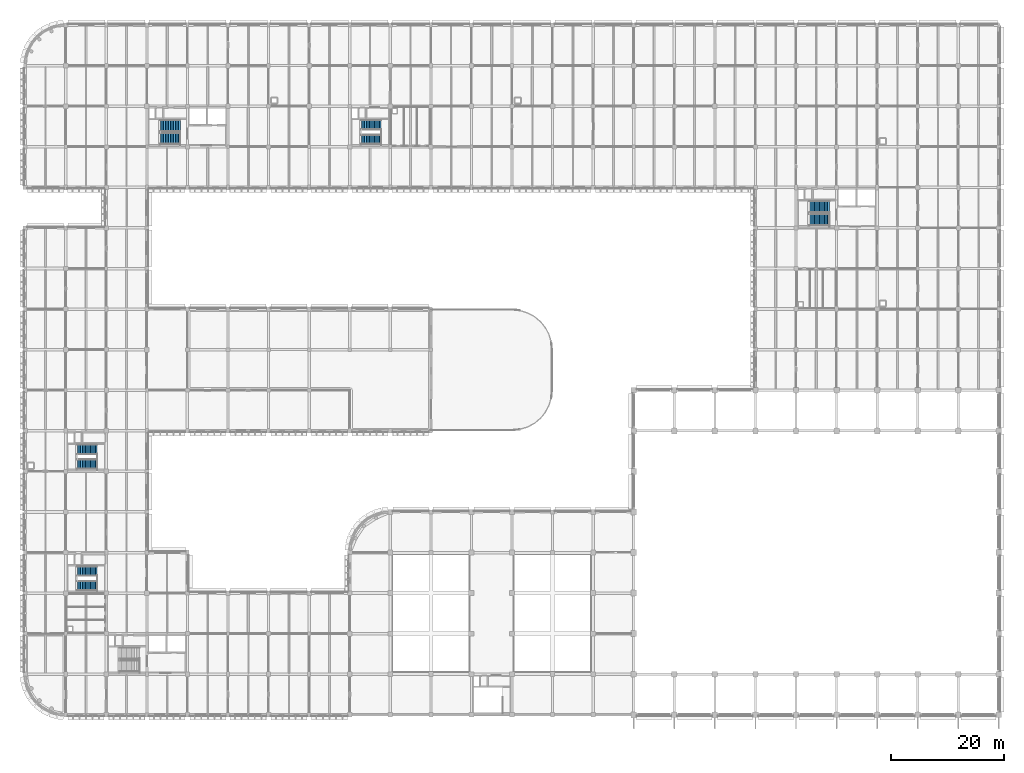
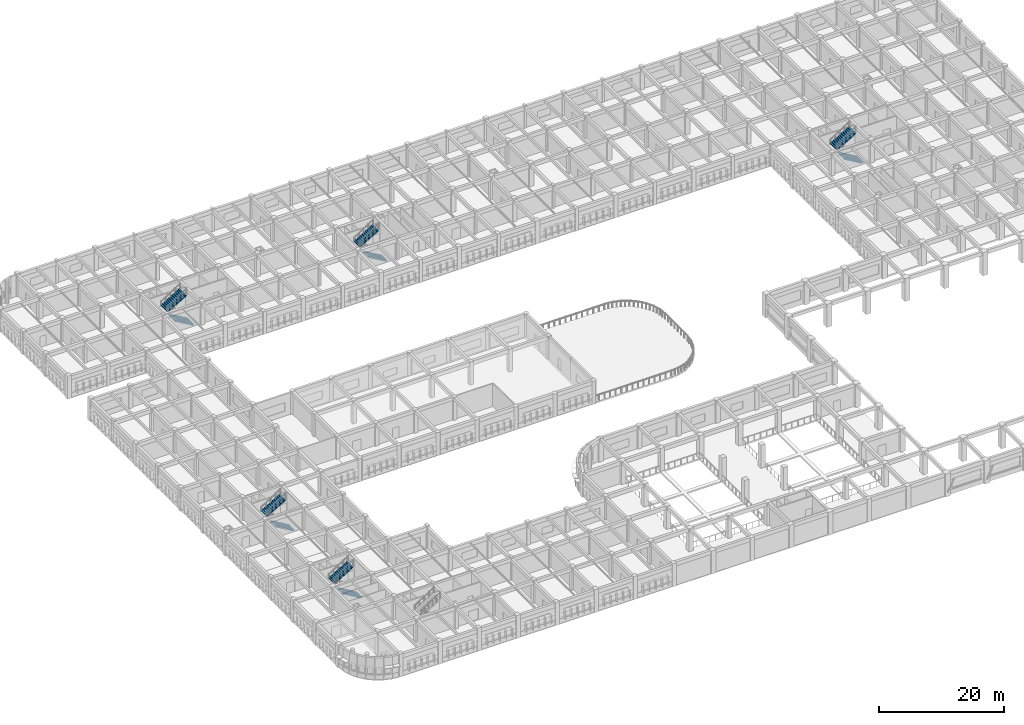
# One storey, part 54 of 61: 10 stair flights, 5 elements without a shape of their own.
"""IFC4 building model written with IfcOpenShell, lengths in metres."""

import ifcopenshell
import ifcopenshell.guid

model = None  # the IFC model being written
_history = None  # IfcOwnerHistory: only IFC2X3 demands one
_inside = {}  # id of a spatial element -> (the spatial element, [elements in it])
_under = {}  # id of a project, library or spatial element -> (it, [spatial elements below it])
_declared = {}  # id of a project -> (the project, [libraries it declares])
_typed = {}  # id of a type object -> (the type object, [elements of that type])
_made_of = {}  # id of a material, layer set ... -> (it, [elements and type objects made of it])


def new_model(schema):
    """Start an empty IFC model of exactly this schema.

    Asked for "IFC4X3", IfcOpenShell would pick the latest addendum, in which some entities
    have other attributes; the version numbers below select the first issue.
    IFC2X3 requires an IfcOwnerHistory on every rooted entity: one is made here for all.
    """
    global model, _history
    if schema == "IFC4X3":
        model = ifcopenshell.file(schema_version=(4, 3, 0, 0))
    else:
        model = ifcopenshell.file(schema=schema)
    _inside.clear()
    _under.clear()
    _declared.clear()
    _typed.clear()
    _made_of.clear()
    _history = None
    if model.schema == "IFC2X3":
        org = make("IfcOrganization", Name="unknown")
        user = make(
            "IfcPersonAndOrganization",
            ThePerson=make("IfcPerson", FamilyName="unknown"),
            TheOrganization=org,
        )
        app = make(
            "IfcApplication",
            ApplicationDeveloper=org,
            Version="unknown",
            ApplicationFullName="unknown",
            ApplicationIdentifier="unknown",
        )
        _history = make(
            "IfcOwnerHistory",
            OwningUser=user,
            OwningApplication=app,
            ChangeAction="ADDED",
            CreationDate=0,
        )
    return model


def make(cls, **values):
    """One entity of the class cls with the attributes given. An attribute that is None is left unset."""
    return model.create_entity(
        cls, **{name: value for name, value in values.items() if value is not None}
    )


def rooted(cls, **values):
    """An entity with a GlobalId (a new one), such as an element, a storey or a relation."""
    return make(cls, GlobalId=ifcopenshell.guid.new(), OwnerHistory=_history, **values)


def si_unit(unit_type, name, prefix=None):
    """IfcSIUnit, for example si_unit("LENGTHUNIT", "METRE", prefix="MILLI")."""
    return make("IfcSIUnit", UnitType=unit_type, Prefix=prefix, Name=name)


def assignment(units):
    """IfcUnitAssignment: the units of a project."""
    return None if units is None else make("IfcUnitAssignment", Units=units)


def point(xyz):
    """IfcCartesianPoint."""
    return None if xyz is None else make("IfcCartesianPoint", Coordinates=xyz)


def direction(xyz):
    """IfcDirection."""
    return None if xyz is None else make("IfcDirection", DirectionRatios=xyz)


def frame(location, z_axis=None, x_axis=None):
    """IfcAxis2Placement3D, a coordinate frame: its origin and axes. An axis left out is left unset."""
    return make(
        "IfcAxis2Placement3D",
        Location=point(location),
        Axis=direction(z_axis),
        RefDirection=direction(x_axis),
    )


def origin():
    """The frame at (0, 0, 0) with its axes left unset."""
    return frame((0.0, 0.0, 0.0))


def place(relative_to, where):
    """IfcLocalPlacement: puts the frame where relative to a parent placement (None: the world)."""
    return make(
        "IfcLocalPlacement", PlacementRelTo=relative_to, RelativePlacement=where
    )


def context(
    kind, dimensions, precision=None, world=None, true_north=None, identifier=None
):
    """IfcGeometricRepresentationContext, for example the 3D "Model" context."""
    return make(
        "IfcGeometricRepresentationContext",
        ContextIdentifier=identifier,
        ContextType=kind,
        CoordinateSpaceDimension=dimensions,
        Precision=precision,
        WorldCoordinateSystem=world,
        TrueNorth=true_north,
    )


def subcontext(parent, identifier, kind, view, scale=None):
    """IfcGeometricRepresentationSubContext, for example "Body" below "Model"."""
    return make(
        "IfcGeometricRepresentationSubContext",
        ContextIdentifier=identifier,
        ContextType=kind,
        ParentContext=parent,
        TargetScale=scale,
        TargetView=view,
    )


def project(units=None, contexts=None):
    """IfcProject with its units and contexts."""
    return rooted(
        "IfcProject",
        Name="project",
        RepresentationContexts=contexts,
        UnitsInContext=assignment(units),
    )


def spatial(cls, under=None, at=None, **own):
    """A site, building, storey or space (cls), placed at a placement, below another one or the project."""
    s = rooted(cls, ObjectPlacement=at, **own)
    if under is not None:
        _under.setdefault(under.id(), (under, []))[1].append(s)
    return s


def polyline(points):
    """IfcPolyline through the points."""
    return make("IfcPolyline", Points=[point(p) for p in points])


def outline(outer, holes=None, kind="AREA"):
    """IfcArbitraryClosedProfileDef: a profile drawn as a closed curve; with holes, ...WithVoids."""
    if holes is None:
        return make("IfcArbitraryClosedProfileDef", ProfileType=kind, OuterCurve=outer)
    return make(
        "IfcArbitraryProfileDefWithVoids",
        ProfileType=kind,
        OuterCurve=outer,
        InnerCurves=holes,
    )


def extrude(swept, where, along, depth):
    """IfcExtrudedAreaSolid: the profile swept, set in the frame where, extruded along a direction by depth."""
    return make(
        "IfcExtrudedAreaSolid",
        SweptArea=swept,
        Position=where,
        ExtrudedDirection=direction(along),
        Depth=depth,
    )


def shape(context_of_items, identifier, shape_type, items):
    """IfcShapeRepresentation: the items that make up one representation, for example the "Body"."""
    return make(
        "IfcShapeRepresentation",
        ContextOfItems=context_of_items,
        RepresentationIdentifier=identifier,
        RepresentationType=shape_type,
        Items=items,
    )


def material(Name=None, Category=None):
    """IfcMaterial."""
    return make("IfcMaterial", Name=Name, Category=Category)


def made_of(thing, what):
    """Note that an element or type object is made of a material, layer set ...; save() writes the relation."""
    if what is not None:
        _made_of.setdefault(what.id(), (what, []))[1].append(thing)
    return thing


def type_object(cls, material=None, **own):
    """A type object (cls), such as IfcWallType, which elements share."""
    return made_of(rooted(cls, **own), material)


def element(
    cls,
    number,
    at=None,
    inside=None,
    cuts=None,
    type_object=None,
    material=None,
    context=None,
    identifier="Body",
    shape_type=None,
    held_by="IfcProductDefinitionShape",
    body=None,
    shapes=None,
    **own,
):
    """One element of the class cls, such as IfcWall. Its Tag is "e" and its number.

    at: its placement. inside: the storey or other place that contains it. cuts: it is an
    opening in that element (IfcRelVoidsElement). A single representation is given by context,
    identifier, shape_type and body (its items); several are given by shapes. held_by: the class
    of the entity that holds the representations. save() writes the other relations.
    """
    e = rooted(cls, Tag="e%d" % number, ObjectPlacement=at, **own)
    if body is not None:
        shapes = [shape(context, identifier, shape_type, body)]
    if shapes is not None:
        e.Representation = make(held_by, Representations=shapes)
    if inside is not None:
        _inside.setdefault(inside.id(), (inside, []))[1].append(e)
    if cuts is not None:
        rooted(
            "IfcRelVoidsElement", RelatingBuildingElement=cuts, RelatedOpeningElement=e
        )
    if type_object is not None:
        _typed.setdefault(type_object.id(), (type_object, []))[1].append(e)
    return made_of(e, material)


def aggregate(whole, parts):
    """IfcRelAggregates: a whole, such as a stair, and the parts it consists of."""
    return rooted("IfcRelAggregates", RelatingObject=whole, RelatedObjects=parts)


def save(model, path):
    """Write the relations noted so far, then the file.

    IfcRelAggregates (storeys below a building ...), IfcRelContainedInSpatialStructure (elements
    in a storey), IfcRelDefinesByType, IfcRelAssociatesMaterial and IfcRelDeclares: one each for
    every whole, place, type object, material and project.
    """
    for whole, parts in _under.values():
        aggregate(whole, parts)
    for where, things in _inside.values():
        rooted(
            "IfcRelContainedInSpatialStructure",
            RelatedElements=things,
            RelatingStructure=where,
        )
    for kind, things in _typed.values():
        rooted("IfcRelDefinesByType", RelatedObjects=things, RelatingType=kind)
    for what, things in _made_of.values():
        rooted("IfcRelAssociatesMaterial", RelatedObjects=things, RelatingMaterial=what)
    for by, libraries in _declared.values():
        rooted("IfcRelDeclares", RelatingContext=by, RelatedDefinitions=libraries)
    model.write(path)


model = new_model("IFC4")

# Units and contexts
model_context = context("Model", 3, precision=1e-05, world=origin(), true_north=direction((0.0, 1.0)))
body_context = subcontext(model_context, "Body", "Model", "MODEL_VIEW")
ifc_project = project(units=[si_unit("LENGTHUNIT", "METRE"), si_unit("AREAUNIT", "SQUARE_METRE"), si_unit("VOLUMEUNIT", "CUBIC_METRE"), si_unit("PLANEANGLEUNIT", "RADIAN"), si_unit("MASSUNIT", "GRAM", prefix="KILO")], contexts=[model_context])

# Site, building, storey
site_placement = place(None, origin())
site = spatial("IfcSite", under=ifc_project, at=site_placement, CompositionType="ELEMENT")
building_placement = place(site_placement, origin())
building = spatial("IfcBuilding", under=site, at=building_placement, Name="Thalmaran Polytechnic", CompositionType="ELEMENT")
storey_placement = place(building_placement, frame((0.0, 0.0, 9.89990234375)))
storey = spatial("IfcBuildingStorey", under=building, at=storey_placement, Name="L02", CompositionType="ELEMENT", Elevation=9.89990234375)

# Stair, stair flights
ifc_material = material(Name="Concrete C40/50", Category="concrete")
stair_type = type_object("IfcStairType", Name="ST-HT45", PredefinedType="HALF_TURN_STAIR", material=ifc_material)
stair_1_placement = place(storey_placement, origin())
stair_1 = element("IfcStair", 1, at=stair_1_placement, inside=storey, type_object=stair_type, Name="Exit Stair ST2 L02", PredefinedType="HALF_TURN_STAIR")
stair_flight_type = type_object("IfcStairFlightType", Name="SF-FL14", PredefinedType="STRAIGHT", material=ifc_material)
stair_flight_1_placement = place(storey_placement, frame((27.52001953125, 102.159912109375, 0.0), z_axis=(0.0, 0.0, 1.0), x_axis=(-1.0, 0.0, 0.0)))
stair_flight_1 = element("IfcStairFlight", 2, at=stair_flight_1_placement, type_object=stair_flight_type, Name="Stair Flight ST2 L02 Lower", NumberOfRisers=13, NumberOfTreads=12, PredefinedType="STRAIGHT", RiserHeight=0.173077, TreadLength=0.293333, context=body_context, shape_type="SweptSolid", body=[
    extrude(outline(polyline([(0.0, 0.0), (0.0, 0.173095703125), (0.293212890625, 0.173095703125), (0.293212890625, 0.34619140625), (0.586669921875, 0.34619140625), (0.586669921875, 0.519287109375), (0.8798828125, 0.519287109375), (0.8798828125, 0.6923828125), (1.17333984375, 0.6923828125), (1.17333984375, 0.865478515625), (1.466552734375, 0.865478515625), (1.466552734375, 1.03857421875), (1.760009765625, 1.03857421875), (1.760009765625, 1.21142578125), (2.05322265625, 1.21142578125), (2.05322265625, 1.384521484375), (2.3466796875, 1.384521484375), (2.3466796875, 1.5576171875), (2.639892578125, 1.5576171875), (2.639892578125, 1.730712890625), (2.933349609375, 1.730712890625), (2.933349609375, 1.90380859375), (3.2265625, 1.90380859375), (3.2265625, 2.076904296875), (3.52001953125, 2.076904296875), (3.52001953125, 2.25), (3.52001953125, 1.867919921875), (0.35400390625, 0.0), (0.0, 0.0)])), frame((0.0, 1.080078125, 0.0), z_axis=(0.0, -1.0, 0.0), x_axis=(1.0, 0.0, 0.0)), (0.0, 0.0, 1.0), 2.159912109375),
])
stair_flight_2_placement = place(storey_placement, frame((24.0, 104.6201171875, 2.25), z_axis=(0.0, 0.0, 1.0), x_axis=(1.0, 0.0, 0.0)))
stair_flight_2 = element("IfcStairFlight", 3, at=stair_flight_2_placement, type_object=stair_flight_type, Name="Stair Flight ST2 L02 Upper", NumberOfRisers=13, NumberOfTreads=12, PredefinedType="STRAIGHT", RiserHeight=0.173077, TreadLength=0.293333, context=body_context, shape_type="SweptSolid", body=[
    extrude(outline(polyline([(0.0, 0.0), (0.0, 0.173095703125), (0.293212890625, 0.173095703125), (0.293212890625, 0.34619140625), (0.586669921875, 0.34619140625), (0.586669921875, 0.519287109375), (0.8798828125, 0.519287109375), (0.8798828125, 0.6923828125), (1.17333984375, 0.6923828125), (1.17333984375, 0.865478515625), (1.466552734375, 0.865478515625), (1.466552734375, 1.03857421875), (1.760009765625, 1.03857421875), (1.760009765625, 1.21142578125), (2.05322265625, 1.21142578125), (2.05322265625, 1.384521484375), (2.3466796875, 1.384521484375), (2.3466796875, 1.5576171875), (2.639892578125, 1.5576171875), (2.639892578125, 1.730712890625), (2.933349609375, 1.730712890625), (2.933349609375, 1.90380859375), (3.2265625, 1.90380859375), (3.2265625, 2.076904296875), (3.52001953125, 2.076904296875), (3.52001953125, 2.25), (3.52001953125, 1.867919921875), (0.35400390625, 0.0), (0.0, 0.0)])), frame((0.0, 1.080078125, 0.0), z_axis=(0.0, -1.0, 0.0), x_axis=(1.0, 0.0, 0.0)), (0.0, 0.0, 1.0), 2.159912109375),
])
aggregate(stair_1, [stair_flight_1, stair_flight_2])

stair_2_placement = place(storey_placement, origin())
stair_2 = element("IfcStair", 4, at=stair_2_placement, inside=storey, type_object=stair_type, Name="Exit Stair ST3 L02", PredefinedType="HALF_TURN_STAIR")
stair_flight_3_placement = place(storey_placement, frame((12.760009765625, 22.7900390625, 0.0), z_axis=(0.0, 0.0, 1.0), x_axis=(-1.0, 0.0, 0.0)))
stair_flight_3 = element("IfcStairFlight", 5, at=stair_flight_3_placement, type_object=stair_flight_type, Name="Stair Flight ST3 L02 Lower", NumberOfRisers=13, NumberOfTreads=12, PredefinedType="STRAIGHT", RiserHeight=0.173077, TreadLength=0.291667, context=body_context, shape_type="SweptSolid", body=[
    extrude(outline(polyline([(0.0, 0.0), (0.0, 0.173095703125), (0.291748046875, 0.173095703125), (0.291748046875, 0.34619140625), (0.583251953125, 0.34619140625), (0.583251953125, 0.519287109375), (0.875, 0.519287109375), (0.875, 0.6923828125), (1.166748046875, 0.6923828125), (1.166748046875, 0.865478515625), (1.458251953125, 0.865478515625), (1.458251953125, 1.03857421875), (1.75, 1.03857421875), (1.75, 1.21142578125), (2.041748046875, 1.21142578125), (2.041748046875, 1.384521484375), (2.333251953125, 1.384521484375), (2.333251953125, 1.5576171875), (2.625, 1.5576171875), (2.625, 1.730712890625), (2.916748046875, 1.730712890625), (2.916748046875, 1.90380859375), (3.208251953125, 1.90380859375), (3.208251953125, 2.076904296875), (3.5, 2.076904296875), (3.5, 2.25), (3.5, 1.86767578125), (0.3525390625, 0.0), (0.0, 0.0)])), frame((0.0, 0.91015625, 0.0), z_axis=(0.0, -1.0, 0.0), x_axis=(1.0, 0.0, 0.0)), (0.0, 0.0, 1.0), 1.820068359375),
])
stair_flight_4_placement = place(storey_placement, frame((9.260009765625, 25.590087890625, 2.25), z_axis=(0.0, 0.0, 1.0), x_axis=(1.0, 0.0, 0.0)))
stair_flight_4 = element("IfcStairFlight", 6, at=stair_flight_4_placement, type_object=stair_flight_type, Name="Stair Flight ST3 L02 Upper", NumberOfRisers=13, NumberOfTreads=12, PredefinedType="STRAIGHT", RiserHeight=0.173077, TreadLength=0.291667, context=body_context, shape_type="SweptSolid", body=[
    extrude(outline(polyline([(0.0, 0.0), (0.0, 0.173095703125), (0.291748046875, 0.173095703125), (0.291748046875, 0.34619140625), (0.583251953125, 0.34619140625), (0.583251953125, 0.519287109375), (0.875, 0.519287109375), (0.875, 0.6923828125), (1.166748046875, 0.6923828125), (1.166748046875, 0.865478515625), (1.458251953125, 0.865478515625), (1.458251953125, 1.03857421875), (1.75, 1.03857421875), (1.75, 1.21142578125), (2.041748046875, 1.21142578125), (2.041748046875, 1.384521484375), (2.333251953125, 1.384521484375), (2.333251953125, 1.5576171875), (2.625, 1.5576171875), (2.625, 1.730712890625), (2.916748046875, 1.730712890625), (2.916748046875, 1.90380859375), (3.208251953125, 1.90380859375), (3.208251953125, 2.076904296875), (3.5, 2.076904296875), (3.5, 2.25), (3.5, 1.86767578125), (0.3525390625, 0.0), (0.0, 0.0)])), frame((0.0, 0.91015625, 0.0), z_axis=(0.0, -1.0, 0.0), x_axis=(1.0, 0.0, 0.0)), (0.0, 0.0, 1.0), 1.820068359375),
])
aggregate(stair_2, [stair_flight_3, stair_flight_4])

stair_3_placement = place(storey_placement, origin())
stair_3 = element("IfcStair", 7, at=stair_3_placement, inside=storey, type_object=stair_type, Name="Exit Stair ST4 L02", PredefinedType="HALF_TURN_STAIR")
stair_flight_5_placement = place(storey_placement, frame((12.760009765625, 44.389892578125, 0.0), z_axis=(0.0, 0.0, 1.0), x_axis=(-1.0, 0.0, 0.0)))
stair_flight_5 = element("IfcStairFlight", 8, at=stair_flight_5_placement, type_object=stair_flight_type, Name="Stair Flight ST4 L02 Lower", NumberOfRisers=13, NumberOfTreads=12, PredefinedType="STRAIGHT", RiserHeight=0.173077, TreadLength=0.291667, context=body_context, shape_type="SweptSolid", body=[
    extrude(outline(polyline([(0.0, 0.0), (0.0, 0.173095703125), (0.291748046875, 0.173095703125), (0.291748046875, 0.34619140625), (0.583251953125, 0.34619140625), (0.583251953125, 0.519287109375), (0.875, 0.519287109375), (0.875, 0.6923828125), (1.166748046875, 0.6923828125), (1.166748046875, 0.865478515625), (1.458251953125, 0.865478515625), (1.458251953125, 1.03857421875), (1.75, 1.03857421875), (1.75, 1.21142578125), (2.041748046875, 1.21142578125), (2.041748046875, 1.384521484375), (2.333251953125, 1.384521484375), (2.333251953125, 1.5576171875), (2.625, 1.5576171875), (2.625, 1.730712890625), (2.916748046875, 1.730712890625), (2.916748046875, 1.90380859375), (3.208251953125, 1.90380859375), (3.208251953125, 2.076904296875), (3.5, 2.076904296875), (3.5, 2.25), (3.5, 1.86767578125), (0.3525390625, 0.0), (0.0, 0.0)])), frame((0.0, 0.91015625, 0.0), z_axis=(0.0, -1.0, 0.0), x_axis=(1.0, 0.0, 0.0)), (0.0, 0.0, 1.0), 1.820068359375),
])
stair_flight_6_placement = place(storey_placement, frame((9.260009765625, 47.18994140625, 2.25), z_axis=(0.0, 0.0, 1.0), x_axis=(1.0, 0.0, 0.0)))
stair_flight_6 = element("IfcStairFlight", 9, at=stair_flight_6_placement, type_object=stair_flight_type, Name="Stair Flight ST4 L02 Upper", NumberOfRisers=13, NumberOfTreads=12, PredefinedType="STRAIGHT", RiserHeight=0.173077, TreadLength=0.291667, context=body_context, shape_type="SweptSolid", body=[
    extrude(outline(polyline([(0.0, 0.0), (0.0, 0.173095703125), (0.291748046875, 0.173095703125), (0.291748046875, 0.34619140625), (0.583251953125, 0.34619140625), (0.583251953125, 0.519287109375), (0.875, 0.519287109375), (0.875, 0.6923828125), (1.166748046875, 0.6923828125), (1.166748046875, 0.865478515625), (1.458251953125, 0.865478515625), (1.458251953125, 1.03857421875), (1.75, 1.03857421875), (1.75, 1.21142578125), (2.041748046875, 1.21142578125), (2.041748046875, 1.384521484375), (2.333251953125, 1.384521484375), (2.333251953125, 1.5576171875), (2.625, 1.5576171875), (2.625, 1.730712890625), (2.916748046875, 1.730712890625), (2.916748046875, 1.90380859375), (3.208251953125, 1.90380859375), (3.208251953125, 2.076904296875), (3.5, 2.076904296875), (3.5, 2.25), (3.5, 1.86767578125), (0.3525390625, 0.0), (0.0, 0.0)])), frame((0.0, 0.91015625, 0.0), z_axis=(0.0, -1.0, 0.0), x_axis=(1.0, 0.0, 0.0)), (0.0, 0.0, 1.0), 1.820068359375),
])
aggregate(stair_3, [stair_flight_5, stair_flight_6])

stair_4_placement = place(storey_placement, origin())
stair_4 = element("IfcStair", 10, at=stair_4_placement, inside=storey, type_object=stair_type, Name="Exit Stair ST5 L02", PredefinedType="HALF_TURN_STAIR")
stair_flight_7_placement = place(storey_placement, frame((142.719970703125, 87.760009765625, 0.0), z_axis=(0.0, 0.0, 1.0), x_axis=(-1.0, 0.0, 0.0)))
stair_flight_7 = element("IfcStairFlight", 11, at=stair_flight_7_placement, type_object=stair_flight_type, Name="Stair Flight ST5 L02 Lower", NumberOfRisers=13, NumberOfTreads=12, PredefinedType="STRAIGHT", RiserHeight=0.173077, TreadLength=0.293333, context=body_context, shape_type="SweptSolid", body=[
    extrude(outline(polyline([(0.0, 0.0), (0.0, 0.173095703125), (0.293212890625, 0.173095703125), (0.293212890625, 0.34619140625), (0.586669921875, 0.34619140625), (0.586669921875, 0.519287109375), (0.8798828125, 0.519287109375), (0.8798828125, 0.6923828125), (1.17333984375, 0.6923828125), (1.17333984375, 0.865478515625), (1.466552734375, 0.865478515625), (1.466552734375, 1.03857421875), (1.760009765625, 1.03857421875), (1.760009765625, 1.21142578125), (2.05322265625, 1.21142578125), (2.05322265625, 1.384521484375), (2.3466796875, 1.384521484375), (2.3466796875, 1.5576171875), (2.639892578125, 1.5576171875), (2.639892578125, 1.730712890625), (2.933349609375, 1.730712890625), (2.933349609375, 1.90380859375), (3.2265625, 1.90380859375), (3.2265625, 2.076904296875), (3.52001953125, 2.076904296875), (3.52001953125, 2.25), (3.52001953125, 1.867919921875), (0.35400390625, 0.0), (0.0, 0.0)])), frame((0.0, 1.080078125, 0.0), z_axis=(0.0, -1.0, 0.0), x_axis=(1.0, 0.0, 0.0)), (0.0, 0.0, 1.0), 2.159912109375),
])
stair_flight_8_placement = place(storey_placement, frame((139.199951171875, 90.219970703125, 2.25), z_axis=(0.0, 0.0, 1.0), x_axis=(1.0, 0.0, 0.0)))
stair_flight_8 = element("IfcStairFlight", 12, at=stair_flight_8_placement, type_object=stair_flight_type, Name="Stair Flight ST5 L02 Upper", NumberOfRisers=13, NumberOfTreads=12, PredefinedType="STRAIGHT", RiserHeight=0.173077, TreadLength=0.293333, context=body_context, shape_type="SweptSolid", body=[
    extrude(outline(polyline([(0.0, 0.0), (0.0, 0.173095703125), (0.293212890625, 0.173095703125), (0.293212890625, 0.34619140625), (0.586669921875, 0.34619140625), (0.586669921875, 0.519287109375), (0.8798828125, 0.519287109375), (0.8798828125, 0.6923828125), (1.17333984375, 0.6923828125), (1.17333984375, 0.865478515625), (1.466552734375, 0.865478515625), (1.466552734375, 1.03857421875), (1.760009765625, 1.03857421875), (1.760009765625, 1.21142578125), (2.05322265625, 1.21142578125), (2.05322265625, 1.384521484375), (2.3466796875, 1.384521484375), (2.3466796875, 1.5576171875), (2.639892578125, 1.5576171875), (2.639892578125, 1.730712890625), (2.933349609375, 1.730712890625), (2.933349609375, 1.90380859375), (3.2265625, 1.90380859375), (3.2265625, 2.076904296875), (3.52001953125, 2.076904296875), (3.52001953125, 2.25), (3.52001953125, 1.867919921875), (0.35400390625, 0.0), (0.0, 0.0)])), frame((0.0, 1.080078125, 0.0), z_axis=(0.0, -1.0, 0.0), x_axis=(1.0, 0.0, 0.0)), (0.0, 0.0, 1.0), 2.159912109375),
])
aggregate(stair_4, [stair_flight_7, stair_flight_8])

stair_5_placement = place(storey_placement, origin())
stair_5 = element("IfcStair", 13, at=stair_5_placement, inside=storey, type_object=stair_type, Name="Exit Stair ST6 L02", PredefinedType="HALF_TURN_STAIR")
stair_flight_9_placement = place(storey_placement, frame((63.159912109375, 101.989990234375, 0.0), z_axis=(0.0, 0.0, 1.0), x_axis=(-1.0, 0.0, 0.0)))
stair_flight_9 = element("IfcStairFlight", 14, at=stair_flight_9_placement, type_object=stair_flight_type, Name="Stair Flight ST6 L02 Lower", NumberOfRisers=13, NumberOfTreads=12, PredefinedType="STRAIGHT", RiserHeight=0.173077, TreadLength=0.291667, context=body_context, shape_type="SweptSolid", body=[
    extrude(outline(polyline([(0.0, 0.0), (0.0, 0.173095703125), (0.291748046875, 0.173095703125), (0.291748046875, 0.34619140625), (0.583251953125, 0.34619140625), (0.583251953125, 0.519287109375), (0.875, 0.519287109375), (0.875, 0.6923828125), (1.166748046875, 0.6923828125), (1.166748046875, 0.865478515625), (1.458251953125, 0.865478515625), (1.458251953125, 1.03857421875), (1.75, 1.03857421875), (1.75, 1.21142578125), (2.041748046875, 1.21142578125), (2.041748046875, 1.384521484375), (2.333251953125, 1.384521484375), (2.333251953125, 1.5576171875), (2.625, 1.5576171875), (2.625, 1.730712890625), (2.916748046875, 1.730712890625), (2.916748046875, 1.90380859375), (3.208251953125, 1.90380859375), (3.208251953125, 2.076904296875), (3.5, 2.076904296875), (3.5, 2.25), (3.5, 1.86767578125), (0.3525390625, 0.0), (0.0, 0.0)])), frame((0.0, 0.91015625, 0.0), z_axis=(0.0, -1.0, 0.0), x_axis=(1.0, 0.0, 0.0)), (0.0, 0.0, 1.0), 1.820068359375),
])
stair_flight_10_placement = place(storey_placement, frame((59.659912109375, 104.7900390625, 2.25), z_axis=(0.0, 0.0, 1.0), x_axis=(1.0, 0.0, 0.0)))
stair_flight_10 = element("IfcStairFlight", 15, at=stair_flight_10_placement, type_object=stair_flight_type, Name="Stair Flight ST6 L02 Upper", NumberOfRisers=13, NumberOfTreads=12, PredefinedType="STRAIGHT", RiserHeight=0.173077, TreadLength=0.291667, context=body_context, shape_type="SweptSolid", body=[
    extrude(outline(polyline([(0.0, 0.0), (0.0, 0.173095703125), (0.291748046875, 0.173095703125), (0.291748046875, 0.34619140625), (0.583251953125, 0.34619140625), (0.583251953125, 0.519287109375), (0.875, 0.519287109375), (0.875, 0.6923828125), (1.166748046875, 0.6923828125), (1.166748046875, 0.865478515625), (1.458251953125, 0.865478515625), (1.458251953125, 1.03857421875), (1.75, 1.03857421875), (1.75, 1.21142578125), (2.041748046875, 1.21142578125), (2.041748046875, 1.384521484375), (2.333251953125, 1.384521484375), (2.333251953125, 1.5576171875), (2.625, 1.5576171875), (2.625, 1.730712890625), (2.916748046875, 1.730712890625), (2.916748046875, 1.90380859375), (3.208251953125, 1.90380859375), (3.208251953125, 2.076904296875), (3.5, 2.076904296875), (3.5, 2.25), (3.5, 1.86767578125), (0.3525390625, 0.0), (0.0, 0.0)])), frame((0.0, 0.91015625, 0.0), z_axis=(0.0, -1.0, 0.0), x_axis=(1.0, 0.0, 0.0)), (0.0, 0.0, 1.0), 1.820068359375),
])
aggregate(stair_5, [stair_flight_9, stair_flight_10])

save(model, "model.ifc")
